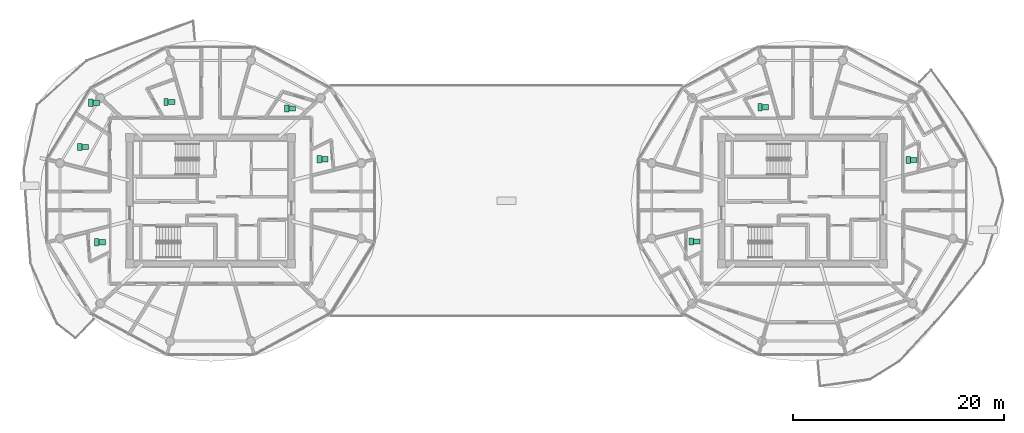
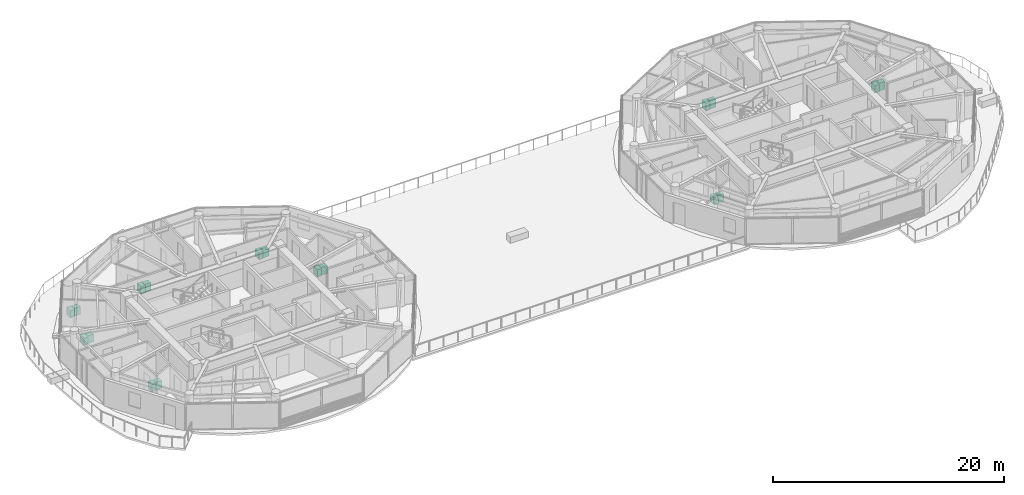
# One storey, part 29 of 30: 18 sanitary terminals.
"""IFC4 building model written with IfcOpenShell, lengths in metres."""

from ifc_helpers import new_model, si_unit, direction, frame, origin, origin_2d, place, context, subcontext, project, spatial, rectangle, extrude, source, transform, mapped, material, type_object, type_shapes, element, save


model = new_model("IFC4")

# Units and contexts
model_context = context("Model", 3, precision=1e-05, world=origin(), true_north=direction((0.0, 1.0)))
body_context = subcontext(model_context, "Body", "Model", "MODEL_VIEW")
ifc_project = project(units=[si_unit("LENGTHUNIT", "METRE"), si_unit("AREAUNIT", "SQUARE_METRE"), si_unit("VOLUMEUNIT", "CUBIC_METRE"), si_unit("PLANEANGLEUNIT", "RADIAN"), si_unit("MASSUNIT", "GRAM", prefix="KILO")], contexts=[model_context])

# Site, building, storey
site_placement = place(None, origin())
site = spatial("IfcSite", under=ifc_project, at=site_placement, CompositionType="ELEMENT")
building_placement = place(site_placement, origin())
building = spatial("IfcBuilding", under=site, at=building_placement, Name="Norrkilde Senior Care Towers", CompositionType="ELEMENT")
storey_placement = place(building_placement, frame((0.0, 0.0, 232.199951171875)))
storey = spatial("IfcBuildingStorey", under=building, at=storey_placement, Name="L72", CompositionType="ELEMENT", Elevation=232.199951171875)

# Sanitary terminals
ifc_material = material(Name="Porcelain Ceramic")
sanitary_terminal_type_1 = type_object("IfcSanitaryTerminalType", Name="Accessible Senior WC Suite", PredefinedType="TOILETPAN", material=ifc_material)
shared_shape_1 = source(origin(), body_context, "Body", "SweptSolid", [
    extrude(rectangle(XDim=0.419921875, YDim=0.679931640625, at=origin_2d()), origin(), (0.0, 0.0, 1.0), 0.780029296875),
])
type_shapes(sanitary_terminal_type_1, [shared_shape_1])
for number, where, z_axis, x_axis, name in (
    (1, (-17.70556640625, 3.923828125, 0.0), (0.0, 0.0, 1.0), (1.0, 0.0, 0.0), "L72 Accessible WC Pan 0191"),
    (2, (-20.788818359375, 8.721435546875, 0.0), (0.0, 0.0, 1.0), (1.0, 0.0, 0.0), "L72 Accessible WC Pan 0192"),
    (3, (-32.22021484375, 9.33984375, 0.0), (0.0, 0.0, 1.0), (1.0, 0.0, 0.0), "L72 Accessible WC Pan 0193"),
    (4, (-39.333984375, 9.268798828125, 0.0), (0.0, 0.0, 1.0), (1.0, 0.0, 0.0), "L72 Accessible WC Pan 0194"),
    (5, (-40.38671875, 5.09326171875, 0.0), (0.0, 0.0, 1.0), (1.0, 0.0, 0.0), "L72 Accessible WC Pan 0195"),
    (6, (-38.79443359375, -3.923828125, 0.0), (0.0, 0.0, 1.0), (1.0, 0.0, 0.0), "L72 Accessible WC Pan 0196"),
    (7, (38.02734375, 3.848388671875, 0.0), (0.0, 0.0, 1.0), (1.0, 0.0, 0.0), "L72 Accessible WC Pan 0197"),
    (8, (23.990234375, 8.843505859375, 0.0), (0.0, 0.0, 1.0), (1.0, 0.0, 0.0), "L72 Accessible WC Pan 0198"),
    (9, (17.47265625, -3.848388671875, 0.0), (0.0, 0.0, 1.0), (1.0, 0.0, 0.0), "L72 Accessible WC Pan 0199"),
):
    element("IfcSanitaryTerminal", number, at=place(storey_placement, frame(where, z_axis=z_axis, x_axis=x_axis)), inside=storey, type_object=sanitary_terminal_type_1, Name=name, PredefinedType="TOILETPAN", context=body_context, shape_type="MappedRepresentation", body=[
        mapped(shared_shape_1, transform((0.0, 0.0, 0.0), x_axis=(1.0, 0.0, 0.0), y_axis=(0.0, 1.0, 0.0), z_axis=(0.0, 0.0, 1.0), scale=1.0)),
    ])
sanitary_terminal_type_2 = type_object("IfcSanitaryTerminalType", Name="Thermostatic Care Washbasin", PredefinedType="WASHHANDBASIN", material=ifc_material)
shared_shape_2 = source(origin(), body_context, "Body", "SweptSolid", [
    extrude(rectangle(XDim=0.60009765625, YDim=0.5, at=origin_2d()), origin(), (0.0, 0.0, 1.0), 0.820068359375),
])
type_shapes(sanitary_terminal_type_2, [shared_shape_2])
for number, where, z_axis, x_axis, name in (
    (10, (-17.175537109375, 3.923828125, 0.0), (0.0, 0.0, 1.0), (1.0, 0.0, 0.0), "L72 Accessible Washbasin 0191"),
    (11, (-20.2587890625, 8.721435546875, 0.0), (0.0, 0.0, 1.0), (1.0, 0.0, 0.0), "L72 Accessible Washbasin 0192"),
    (12, (-31.690185546875, 9.33984375, 0.0), (0.0, 0.0, 1.0), (1.0, 0.0, 0.0), "L72 Accessible Washbasin 0193"),
    (13, (-38.803955078125, 9.268798828125, 0.0), (0.0, 0.0, 1.0), (1.0, 0.0, 0.0), "L72 Accessible Washbasin 0194"),
    (14, (-39.856689453125, 5.09326171875, 0.0), (0.0, 0.0, 1.0), (1.0, 0.0, 0.0), "L72 Accessible Washbasin 0195"),
    (15, (-38.264404296875, -3.923828125, 0.0), (0.0, 0.0, 1.0), (1.0, 0.0, 0.0), "L72 Accessible Washbasin 0196"),
    (16, (38.557373046875, 3.848388671875, 0.0), (0.0, 0.0, 1.0), (1.0, 0.0, 0.0), "L72 Accessible Washbasin 0197"),
    (17, (24.520263671875, 8.843505859375, 0.0), (0.0, 0.0, 1.0), (1.0, 0.0, 0.0), "L72 Accessible Washbasin 0198"),
    (18, (18.002685546875, -3.848388671875, 0.0), (0.0, 0.0, 1.0), (1.0, 0.0, 0.0), "L72 Accessible Washbasin 0199"),
):
    element("IfcSanitaryTerminal", number, at=place(storey_placement, frame(where, z_axis=z_axis, x_axis=x_axis)), inside=storey, type_object=sanitary_terminal_type_2, Name=name, PredefinedType="WASHHANDBASIN", context=body_context, shape_type="MappedRepresentation", body=[
        mapped(shared_shape_2, transform((0.0, 0.0, 0.0), x_axis=(1.0, 0.0, 0.0), y_axis=(0.0, 1.0, 0.0), z_axis=(0.0, 0.0, 1.0), scale=1.0)),
    ])

save(model, "model.ifc")
